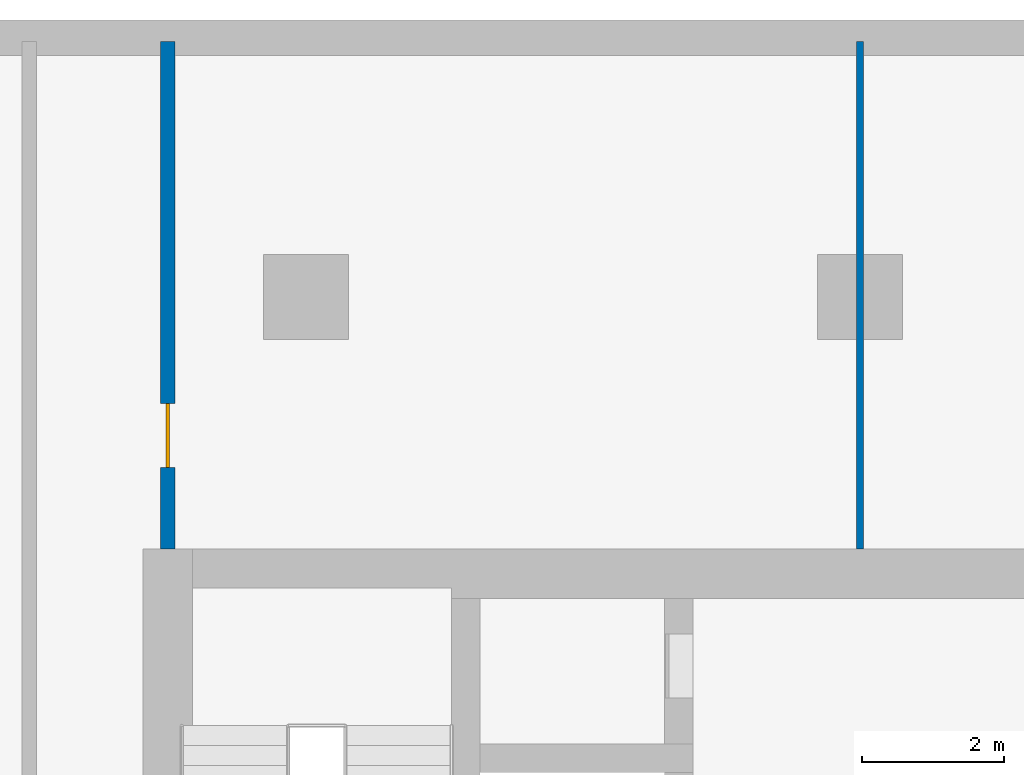
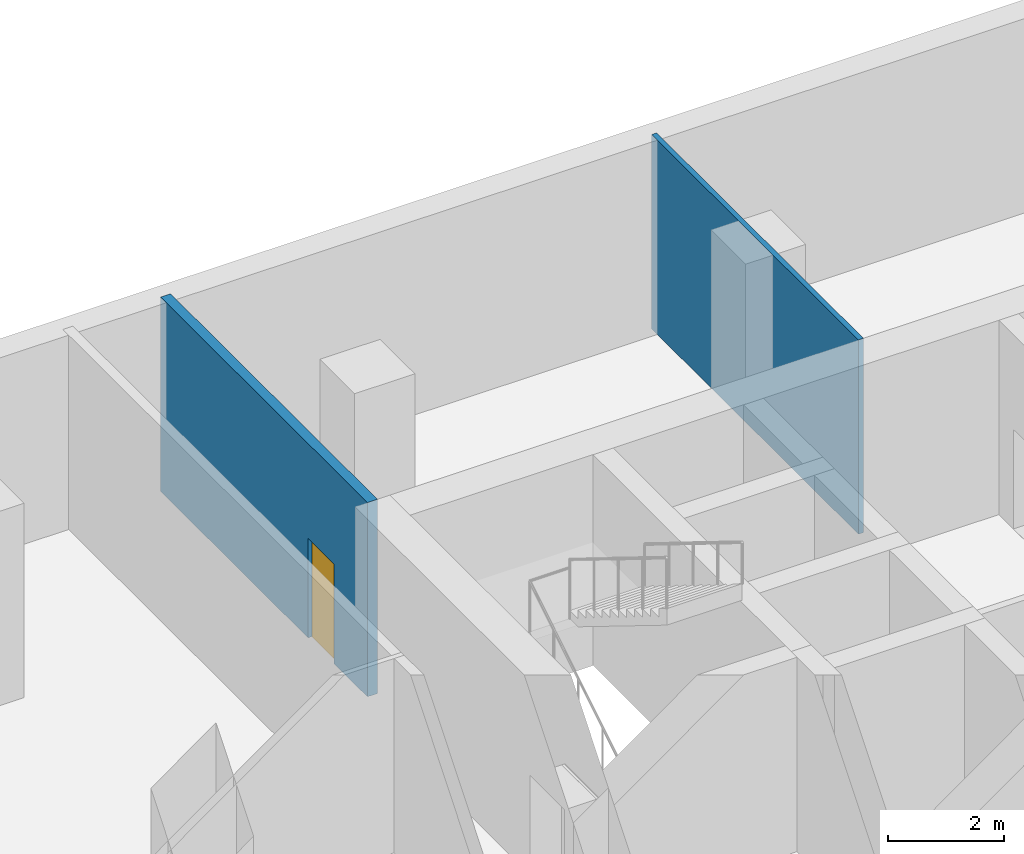
# One storey, part 9 of 14: 2 walls, 1 door, 1 opening.
"""IFC4 building model written with IfcOpenShell, lengths in metres."""

import ifcopenshell
import ifcopenshell.guid

model = None  # the IFC model being written
_history = None  # IfcOwnerHistory: only IFC2X3 demands one
_inside = {}  # id of a spatial element -> (the spatial element, [elements in it])
_under = {}  # id of a project, library or spatial element -> (it, [spatial elements below it])
_declared = {}  # id of a project -> (the project, [libraries it declares])
_typed = {}  # id of a type object -> (the type object, [elements of that type])
_made_of = {}  # id of a material, layer set ... -> (it, [elements and type objects made of it])


def new_model(schema):
    """Start an empty IFC model of exactly this schema.

    Asked for "IFC4X3", IfcOpenShell would pick the latest addendum, in which some entities
    have other attributes; the version numbers below select the first issue.
    IFC2X3 requires an IfcOwnerHistory on every rooted entity: one is made here for all.
    """
    global model, _history
    if schema == "IFC4X3":
        model = ifcopenshell.file(schema_version=(4, 3, 0, 0))
    else:
        model = ifcopenshell.file(schema=schema)
    _inside.clear()
    _under.clear()
    _declared.clear()
    _typed.clear()
    _made_of.clear()
    _history = None
    if model.schema == "IFC2X3":
        org = make("IfcOrganization", Name="unknown")
        user = make(
            "IfcPersonAndOrganization",
            ThePerson=make("IfcPerson", FamilyName="unknown"),
            TheOrganization=org,
        )
        app = make(
            "IfcApplication",
            ApplicationDeveloper=org,
            Version="unknown",
            ApplicationFullName="unknown",
            ApplicationIdentifier="unknown",
        )
        _history = make(
            "IfcOwnerHistory",
            OwningUser=user,
            OwningApplication=app,
            ChangeAction="ADDED",
            CreationDate=0,
        )
    return model


def make(cls, **values):
    """One entity of the class cls with the attributes given. An attribute that is None is left unset."""
    return model.create_entity(
        cls, **{name: value for name, value in values.items() if value is not None}
    )


def rooted(cls, **values):
    """An entity with a GlobalId (a new one), such as an element, a storey or a relation."""
    return make(cls, GlobalId=ifcopenshell.guid.new(), OwnerHistory=_history, **values)


def si_unit(unit_type, name, prefix=None):
    """IfcSIUnit, for example si_unit("LENGTHUNIT", "METRE", prefix="MILLI")."""
    return make("IfcSIUnit", UnitType=unit_type, Prefix=prefix, Name=name)


def assignment(units):
    """IfcUnitAssignment: the units of a project."""
    return None if units is None else make("IfcUnitAssignment", Units=units)


def point(xyz):
    """IfcCartesianPoint."""
    return None if xyz is None else make("IfcCartesianPoint", Coordinates=xyz)


def direction(xyz):
    """IfcDirection."""
    return None if xyz is None else make("IfcDirection", DirectionRatios=xyz)


def frame(location, z_axis=None, x_axis=None):
    """IfcAxis2Placement3D, a coordinate frame: its origin and axes. An axis left out is left unset."""
    return make(
        "IfcAxis2Placement3D",
        Location=point(location),
        Axis=direction(z_axis),
        RefDirection=direction(x_axis),
    )


def frame_2d(location, x_axis=None):
    """IfcAxis2Placement2D, a coordinate frame in the plane: its origin and x axis."""
    return make(
        "IfcAxis2Placement2D", Location=point(location), RefDirection=direction(x_axis)
    )


def origin():
    """The frame at (0, 0, 0) with its axes left unset."""
    return frame((0.0, 0.0, 0.0))


def place(relative_to, where):
    """IfcLocalPlacement: puts the frame where relative to a parent placement (None: the world)."""
    return make(
        "IfcLocalPlacement", PlacementRelTo=relative_to, RelativePlacement=where
    )


def context(
    kind, dimensions, precision=None, world=None, true_north=None, identifier=None
):
    """IfcGeometricRepresentationContext, for example the 3D "Model" context."""
    return make(
        "IfcGeometricRepresentationContext",
        ContextIdentifier=identifier,
        ContextType=kind,
        CoordinateSpaceDimension=dimensions,
        Precision=precision,
        WorldCoordinateSystem=world,
        TrueNorth=true_north,
    )


def subcontext(parent, identifier, kind, view, scale=None):
    """IfcGeometricRepresentationSubContext, for example "Body" below "Model"."""
    return make(
        "IfcGeometricRepresentationSubContext",
        ContextIdentifier=identifier,
        ContextType=kind,
        ParentContext=parent,
        TargetScale=scale,
        TargetView=view,
    )


def project(units=None, contexts=None):
    """IfcProject with its units and contexts."""
    return rooted(
        "IfcProject",
        Name="project",
        RepresentationContexts=contexts,
        UnitsInContext=assignment(units),
    )


def spatial(cls, under=None, at=None, **own):
    """A site, building, storey or space (cls), placed at a placement, below another one or the project."""
    s = rooted(cls, ObjectPlacement=at, **own)
    if under is not None:
        _under.setdefault(under.id(), (under, []))[1].append(s)
    return s


def profile(cls, at=None, kind="AREA", **sizes):
    """A parametric profile (cls). Its sizes go by their IFC names, for example OverallWidth=200.0."""
    return make(cls, ProfileType=kind, Position=at, **sizes)


def rectangle(**sizes):
    """IfcRectangleProfileDef."""
    return profile("IfcRectangleProfileDef", **sizes)


def extrude(swept, where, along, depth):
    """IfcExtrudedAreaSolid: the profile swept, set in the frame where, extruded along a direction by depth."""
    return make(
        "IfcExtrudedAreaSolid",
        SweptArea=swept,
        Position=where,
        ExtrudedDirection=direction(along),
        Depth=depth,
    )


def shape(context_of_items, identifier, shape_type, items):
    """IfcShapeRepresentation: the items that make up one representation, for example the "Body"."""
    return make(
        "IfcShapeRepresentation",
        ContextOfItems=context_of_items,
        RepresentationIdentifier=identifier,
        RepresentationType=shape_type,
        Items=items,
    )


def material(Name=None, Category=None):
    """IfcMaterial."""
    return make("IfcMaterial", Name=Name, Category=Category)


def layer(
    of_material, thickness, ventilated=None, Name=None, Category=None, Priority=None
):
    """IfcMaterialLayer: one layer of a wall or slab, of a material (None: an air gap)."""
    return make(
        "IfcMaterialLayer",
        Material=of_material,
        LayerThickness=thickness,
        IsVentilated=ventilated,
        Name=Name,
        Category=Category,
        Priority=Priority,
    )


def layer_set(layers, Name=None):
    """IfcMaterialLayerSet."""
    return make("IfcMaterialLayerSet", MaterialLayers=layers, LayerSetName=Name)


def made_of(thing, what):
    """Note that an element or type object is made of a material, layer set ...; save() writes the relation."""
    if what is not None:
        _made_of.setdefault(what.id(), (what, []))[1].append(thing)
    return thing


def type_object(cls, material=None, **own):
    """A type object (cls), such as IfcWallType, which elements share."""
    return made_of(rooted(cls, **own), material)


def element(
    cls,
    number,
    at=None,
    inside=None,
    cuts=None,
    type_object=None,
    material=None,
    context=None,
    identifier="Body",
    shape_type=None,
    held_by="IfcProductDefinitionShape",
    body=None,
    shapes=None,
    **own,
):
    """One element of the class cls, such as IfcWall. Its Tag is "e" and its number.

    at: its placement. inside: the storey or other place that contains it. cuts: it is an
    opening in that element (IfcRelVoidsElement). A single representation is given by context,
    identifier, shape_type and body (its items); several are given by shapes. held_by: the class
    of the entity that holds the representations. save() writes the other relations.
    """
    e = rooted(cls, Tag="e%d" % number, ObjectPlacement=at, **own)
    if body is not None:
        shapes = [shape(context, identifier, shape_type, body)]
    if shapes is not None:
        e.Representation = make(held_by, Representations=shapes)
    if inside is not None:
        _inside.setdefault(inside.id(), (inside, []))[1].append(e)
    if cuts is not None:
        rooted(
            "IfcRelVoidsElement", RelatingBuildingElement=cuts, RelatedOpeningElement=e
        )
    if type_object is not None:
        _typed.setdefault(type_object.id(), (type_object, []))[1].append(e)
    return made_of(e, material)


def fill(opening, filler):
    """IfcRelFillsElement: the door or window that sits in an opening."""
    return rooted(
        "IfcRelFillsElement",
        RelatingOpeningElement=opening,
        RelatedBuildingElement=filler,
    )


def aggregate(whole, parts):
    """IfcRelAggregates: a whole, such as a stair, and the parts it consists of."""
    return rooted("IfcRelAggregates", RelatingObject=whole, RelatedObjects=parts)


def save(model, path):
    """Write the relations noted so far, then the file.

    IfcRelAggregates (storeys below a building ...), IfcRelContainedInSpatialStructure (elements
    in a storey), IfcRelDefinesByType, IfcRelAssociatesMaterial and IfcRelDeclares: one each for
    every whole, place, type object, material and project.
    """
    for whole, parts in _under.values():
        aggregate(whole, parts)
    for where, things in _inside.values():
        rooted(
            "IfcRelContainedInSpatialStructure",
            RelatedElements=things,
            RelatingStructure=where,
        )
    for kind, things in _typed.values():
        rooted("IfcRelDefinesByType", RelatedObjects=things, RelatingType=kind)
    for what, things in _made_of.values():
        rooted("IfcRelAssociatesMaterial", RelatedObjects=things, RelatingMaterial=what)
    for by, libraries in _declared.values():
        rooted("IfcRelDeclares", RelatingContext=by, RelatedDefinitions=libraries)
    model.write(path)


model = new_model("IFC4")

# Units and contexts
model_context = context("Model", 3, precision=1e-05, world=origin(), true_north=direction((0.0, 1.0)))
body_context = subcontext(model_context, "Body", "Model", "MODEL_VIEW")
ifc_project = project(units=[si_unit("LENGTHUNIT", "METRE"), si_unit("AREAUNIT", "SQUARE_METRE"), si_unit("VOLUMEUNIT", "CUBIC_METRE"), si_unit("PLANEANGLEUNIT", "RADIAN"), si_unit("MASSUNIT", "GRAM", prefix="KILO")], contexts=[model_context])

# Site, building, storey
site_placement = place(None, origin())
site = spatial("IfcSite", under=ifc_project, at=site_placement, CompositionType="ELEMENT")
building_placement = place(site_placement, origin())
building = spatial("IfcBuilding", under=site, at=building_placement, Name="Ludao Terraces", CompositionType="ELEMENT")
storey_placement = place(building_placement, frame((0.0, 0.0, -4.5)))
storey = spatial("IfcBuildingStorey", under=building, at=storey_placement, Name="B1", CompositionType="ELEMENT", Elevation=-4.5)

# Wall, opening, door
ifc_material_1 = material(Name="Autoclaved aerated concrete block B06 A3.5", Category="concrete")
ifc_layer_1 = layer(ifc_material_1, 0.199951171875)
ifc_layer_set_1 = layer_set([ifc_layer_1], Name="INT Entrance wall 200")
wall_type_1 = type_object("IfcWallType", Name="INT Entrance wall 200", PredefinedType="PARTITIONING", material=ifc_layer_set_1)
wall_1_placement = place(storey_placement, frame((75.25, 84.85009765625, 0.0), z_axis=(0.0, 0.0, 1.0), x_axis=(0.0, 1.0, 0.0)))
wall_1 = element("IfcWall", 1, at=wall_1_placement, inside=storey, type_object=wall_type_1, Name="PW-B1-PW044", PredefinedType="PARTITIONING", context=body_context, shape_type="SweptSolid", body=[
    extrude(rectangle(XDim=7.14990234375, YDim=0.199951171875, at=frame_2d((3.574951171875, 0.0))), origin(), (0.0, 0.0, 1.0), 4.10009765625),
])
opening_placement = place(wall_1_placement, frame((1.14990234375, 0.0, 0.0)))
opening = element("IfcOpeningElement", 2, at=opening_placement, cuts=wall_1, Name="Opening B1-065", PredefinedType="OPENING", context=body_context, shape_type="SweptSolid", body=[
    extrude(rectangle(XDim=0.89990234375, YDim=2.10009765625, at=frame_2d((0.449951171875, 1.050048828125))), frame((0.0, 0.10986328125, 0.0), z_axis=(0.0, -1.0, 0.0), x_axis=(1.0, 0.0, 0.0)), (0.0, 0.0, 1.0), 0.219970703125),
])
ifc_material_2 = material(Name="Timber door leaf", Category="wood")
door_type = type_object("IfcDoorType", Name="INT Room door 900", OperationType="SINGLE_SWING_LEFT", PredefinedType="DOOR", material=ifc_material_2)
door_placement = place(opening_placement, origin())
door = element("IfcDoor", 3, at=door_placement, inside=storey, type_object=door_type, Name="DOOR 065", OperationType="SINGLE_SWING_RIGHT", OverallHeight=2.10009765625, OverallWidth=0.89990234375, PredefinedType="DOOR", context=body_context, shape_type="SweptSolid", body=[
    extrude(rectangle(XDim=0.89990234375, YDim=2.10009765625, at=frame_2d((0.449951171875, 1.050048828125))), frame((0.0, 0.02490234375, 0.0), z_axis=(0.0, -1.0, 0.0), x_axis=(1.0, 0.0, 0.0)), (0.0, 0.0, 1.0), 0.050048828125),
])
fill(opening, door)

# Wall
ifc_material_3 = material(Name="Gypsum plasterboard", Category="gypsum")
ifc_layer_2 = layer(ifc_material_3, 0.012451171875, Category="gypsum")
ifc_material_4 = material(Name="Mineral wool")
ifc_layer_3 = layer(ifc_material_4, 0.06005859375, Name="insulation")
ifc_material_5 = material(Name="Steel Q235", Category="steel")
ifc_layer_4 = layer(ifc_material_5, 0.014892578125, Name="stud")
ifc_layer_5 = layer(ifc_material_3, 0.012451171875, Category="gypsum")
ifc_layer_set_2 = layer_set([ifc_layer_2, ifc_layer_3, ifc_layer_4, ifc_layer_5], Name="INT Partition 100")
wall_type_2 = type_object("IfcWallType", Name="INT Partition 100", PredefinedType="PARTITIONING", material=ifc_layer_set_2)
wall_2_placement = place(storey_placement, frame((85.0, 84.85009765625, 0.0), z_axis=(0.0, 0.0, 1.0), x_axis=(0.0, 1.0, 0.0)))
element("IfcWall", 4, at=wall_2_placement, inside=storey, type_object=wall_type_2, Name="PW-B1-PW048", PredefinedType="PARTITIONING", context=body_context, shape_type="SweptSolid", body=[
    extrude(rectangle(XDim=7.14990234375, YDim=0.10009765625, at=frame_2d((3.574951171875, 0.0))), origin(), (0.0, 0.0, 1.0), 4.10009765625),
])

save(model, "model.ifc")
